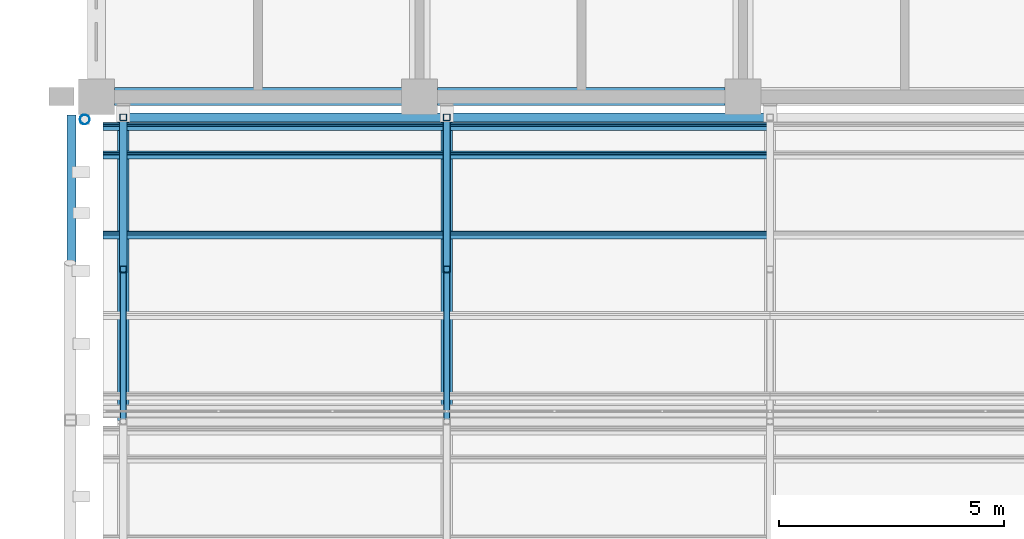
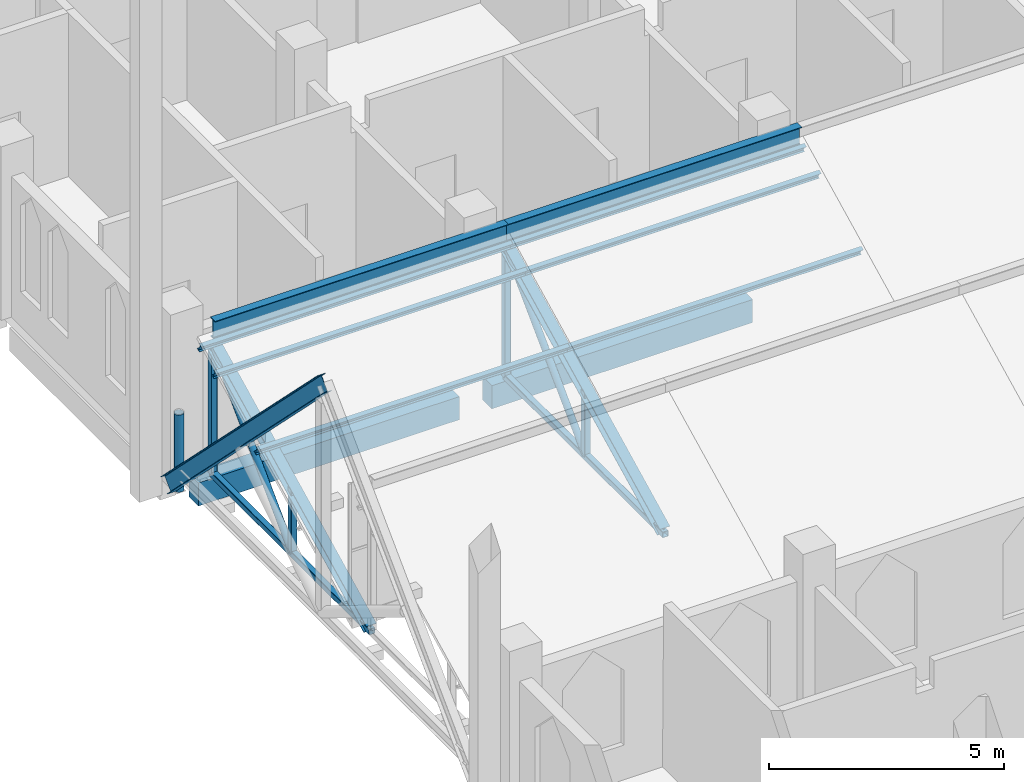
# One storey, part 10 of 29: 20 members, 2 beams.
"""IFC4 building model written with IfcOpenShell, lengths in metres."""

from ifc_helpers import new_model, si_unit, direction, frame, origin, origin_2d, place, context, subcontext, project, spatial, rectangle, hollow_rectangle, hollow_circle, i_section, extrude, material, material_profile, profile_set, type_object, element, save


model = new_model("IFC4")

# Units and contexts
model_context = context("Model", 3, precision=1e-05, world=origin(), true_north=direction((0.0, 1.0)))
body_context = subcontext(model_context, "Body", "Model", "MODEL_VIEW")
ifc_project = project(units=[si_unit("LENGTHUNIT", "METRE"), si_unit("AREAUNIT", "SQUARE_METRE"), si_unit("VOLUMEUNIT", "CUBIC_METRE"), si_unit("PLANEANGLEUNIT", "RADIAN"), si_unit("MASSUNIT", "GRAM", prefix="KILO")], contexts=[model_context])

# Site, building, storey
site_placement = place(None, origin())
site = spatial("IfcSite", under=ifc_project, at=site_placement, CompositionType="ELEMENT")
building_placement = place(site_placement, origin())
building = spatial("IfcBuilding", under=site, at=building_placement, Name="Silangan Lancet Faculty of Sciences", CompositionType="ELEMENT")
storey_placement = place(building_placement, frame((0.0, 0.0, 40.800048828125)))
storey = spatial("IfcBuildingStorey", under=building, at=storey_placement, Name="L08", CompositionType="ELEMENT", Elevation=40.800048828125)

# Beams
ifc_material_1 = material(Name="Concrete C40/50", Category="concrete")
ifc_material_profile_1 = material_profile(ifc_material_1, rectangle(XDim=0.39990234375, YDim=0.60009765625, at=origin_2d()), Name="RC 400x600")
ifc_profile_set_1 = profile_set([ifc_material_profile_1], Name="Concrete C40/50")
beam_type = type_object("IfcBeamType", Name="BEAM RC 400x600", PredefinedType="BEAM", material=ifc_profile_set_1)
beam_1_placement = place(storey_placement, frame((0.39990234375, 36.0, -0.550048828125), z_axis=(1.0, 0.0, 0.0), x_axis=(0.0, 1.0, 0.0)))
element("IfcBeam", 1, at=beam_1_placement, inside=storey, type_object=beam_type, Name="BM-L08-1F-2F", PredefinedType="BEAM", context=body_context, shape_type="SweptSolid", body=[
    extrude(rectangle(XDim=0.39990234375, YDim=0.60009765625, at=origin_2d()), origin(), (0.0, 0.0, 1.0), 6.400146484375),
])
beam_2_placement = place(storey_placement, frame((7.60009765625, 36.0, -0.550048828125), z_axis=(1.0, 0.0, 0.0), x_axis=(0.0, 1.0, 0.0)))
element("IfcBeam", 2, at=beam_2_placement, inside=storey, type_object=beam_type, Name="BM-L08-2F-3F", PredefinedType="BEAM", context=body_context, shape_type="SweptSolid", body=[
    extrude(rectangle(XDim=0.39990234375, YDim=0.60009765625, at=origin_2d()), origin(), (0.0, 0.0, 1.0), 6.39990234375),
])

# Members
ifc_material_2 = material(Name="Steel SS400", Category="steel")
ifc_material_profile_2 = material_profile(ifc_material_2, i_section(OverallWidth=0.199951171875, OverallDepth=0.5, WebThickness=0.010009765625, FlangeThickness=0.01611328125, FilletRadius=0.02001953125, at=origin_2d()), Name="H 500x200x10x16")
ifc_profile_set_2 = profile_set([ifc_material_profile_2], Name="Steel SS400")
member_type_1 = type_object("IfcMemberType", Name="Exposed ridge beam H 500x200x10x16", PredefinedType="MEMBER", material=ifc_profile_set_2)
for number, where, z_axis, x_axis, name in (
    (3, (0.60009765625, 35.5400390625, 3.836669921875), (1.0, 0.0, 0.0), (0.0, 1.0, 0.0), "Exposed ridge beam ATRIUM-2-1"),
    (4, (7.800048828125, 35.5400390625, 3.836669921875), (1.0, 0.0, 0.0), (0.0, 1.0, 0.0), "Exposed ridge beam ATRIUM-2-2"),
):
    element("IfcMember", number, at=place(storey_placement, frame(where, z_axis=z_axis, x_axis=x_axis)), inside=storey, type_object=member_type_1, Name=name, PredefinedType="MEMBER", context=body_context, shape_type="SweptSolid", body=[
        extrude(i_section(OverallWidth=0.199951171875, OverallDepth=0.5, WebThickness=0.010009765625, FlangeThickness=0.01611328125, FilletRadius=0.02001953125, at=origin_2d()), origin(), (0.0, 0.0, 1.0), 7.199951171875),
    ])
ifc_material_3 = material(Name="Steel SS400", Category="steel")
ifc_material_profile_3 = material_profile(ifc_material_3, i_section(OverallWidth=0.199951171875, OverallDepth=0.39990234375, WebThickness=0.008056640625, FlangeThickness=0.012939453125, FilletRadius=0.01611328125, at=origin_2d()), Name="H 400x200x8x13")
ifc_profile_set_3 = profile_set([ifc_material_profile_3], Name="Steel SS400")
member_type_2 = type_object("IfcMemberType", Name="Gable truss rafter H 400x200x8x13", PredefinedType="RAFTER", material=ifc_profile_set_3)
member_1_placement = place(storey_placement, frame((-0.550048828125, 35.4501953125, 0.26708984375), z_axis=(0.0, -0.707106781187, 0.707106781187), x_axis=(1.0, 0.0, 0.0)))
element("IfcMember", 5, at=member_1_placement, inside=storey, type_object=member_type_2, Name="Gable truss rafter B", PredefinedType="RAFTER", context=body_context, shape_type="SweptSolid", body=[
    extrude(i_section(OverallWidth=0.199951171875, OverallDepth=0.39990234375, WebThickness=0.008056640625, FlangeThickness=0.012939453125, FilletRadius=0.01611328125, at=origin_2d()), origin(), (0.0, 0.0, 1.0), 9.40478515625),
])
ifc_material_4 = material(Name="Steel STK400", Category="steel")
ifc_material_profile_4 = material_profile(ifc_material_4, hollow_circle(Radius=0.108154296875, WallThickness=0.006103515625, at=origin_2d()), Name="CHS 216.3x6.0")
ifc_profile_set_4 = profile_set([ifc_material_profile_4], Name="Steel STK400")
member_type_3 = type_object("IfcMemberType", Name="Pinnacle gable CHS 216.3x6.0", PredefinedType="USERDEFINED", material=ifc_profile_set_4)
member_2_placement = place(storey_placement, frame((-0.258056640625, 35.491943359375, 0.0), z_axis=(0.0, 0.0, 1.0), x_axis=(1.0, 0.0, 0.0)))
element("IfcMember", 6, at=member_2_placement, inside=storey, type_object=member_type_3, Name="Gable pinnacle west N", ObjectType="PINNACLE", PredefinedType="USERDEFINED", context=body_context, shape_type="SweptSolid", body=[
    extrude(hollow_circle(Radius=0.108154296875, WallThickness=0.006103515625, at=origin_2d()), origin(), (0.0, 0.0, 1.0), 2.0),
])
ifc_material_5 = material(Name="Steel SS400", Category="steel")
ifc_material_profile_5 = material_profile(ifc_material_5, i_section(OverallWidth=0.10009765625, OverallDepth=0.199951171875, WebThickness=0.005615234375, FlangeThickness=0.008056640625, FilletRadius=0.008056640625, at=origin_2d()), Name="H 200x100x5.5x8")
ifc_profile_set_5 = profile_set([ifc_material_profile_5], Name="Steel SS400")
member_type_4 = type_object("IfcMemberType", Name="Sheeting purlin H 200x100x5.5x8", PredefinedType="PURLIN", material=ifc_profile_set_5)
for number, where, z_axis, x_axis, name in (
    (7, (0.14990234375, 32.91796875, 2.42041015625), (1.0, 0.0, 0.0), (0.0, 0.894427192382, 0.447213592736), "Sheeting purlin ATRIUM-2-1 3"),
    (8, (0.14990234375, 34.706787109375, 3.31494140625), (1.0, 0.0, 0.0), (0.0, 0.894427192382, 0.447213592736), "Sheeting purlin ATRIUM-2-1 4"),
    (9, (0.14990234375, 35.33203125, 3.62744140625), (1.0, 0.0, 0.0), (0.0, 0.894427192382, 0.447213592736), "Sheeting purlin ATRIUM-2-1 5"),
):
    element("IfcMember", number, at=place(storey_placement, frame(where, z_axis=z_axis, x_axis=x_axis)), inside=storey, type_object=member_type_4, Name=name, PredefinedType="PURLIN", context=body_context, shape_type="SweptSolid", body=[
        extrude(i_section(OverallWidth=0.10009765625, OverallDepth=0.199951171875, WebThickness=0.005615234375, FlangeThickness=0.008056640625, FilletRadius=0.008056640625, at=origin_2d()), origin(), (0.0, 0.0, 1.0), 7.650146484375),
    ])
for number, where, z_axis, x_axis, name in (
    (10, (7.800048828125, 32.91796875, 2.42041015625), (1.0, 0.0, 0.0), (0.0, 0.894427192382, 0.447213592736), "Sheeting purlin ATRIUM-2-2 3"),
    (11, (7.800048828125, 34.706787109375, 3.31494140625), (1.0, 0.0, 0.0), (0.0, 0.894427192382, 0.447213592736), "Sheeting purlin ATRIUM-2-2 4"),
    (12, (7.800048828125, 35.33203125, 3.62744140625), (1.0, 0.0, 0.0), (0.0, 0.894427192382, 0.447213592736), "Sheeting purlin ATRIUM-2-2 5"),
):
    element("IfcMember", number, at=place(storey_placement, frame(where, z_axis=z_axis, x_axis=x_axis)), inside=storey, type_object=member_type_4, Name=name, PredefinedType="PURLIN", context=body_context, shape_type="SweptSolid", body=[
        extrude(i_section(OverallWidth=0.10009765625, OverallDepth=0.199951171875, WebThickness=0.005615234375, FlangeThickness=0.008056640625, FilletRadius=0.008056640625, at=origin_2d()), origin(), (0.0, 0.0, 1.0), 7.199951171875),
    ])
ifc_material_6 = material(Name="Steel STKR400", Category="steel")
ifc_material_profile_6 = material_profile(ifc_material_6, hollow_rectangle(XDim=0.14990234375, YDim=0.14990234375, WallThickness=0.009033203125, InnerFilletRadius=0.009033203125, OuterFilletRadius=0.01806640625, at=origin_2d()), Name="SHS 150x150x9.0")
ifc_profile_set_6 = profile_set([ifc_material_profile_6], Name="Steel STKR400")
member_type_5 = type_object("IfcMemberType", Name="Truss bottom chord SHS 150x150x9.0", PredefinedType="CHORD", material=ifc_profile_set_6)
for number, where, z_axis, x_axis, name in (
    (13, (0.60009765625, 28.77001953125, 0.094970703125), (0.0, 1.0, 0.0), (-1.0, 0.0, 0.0), "Truss 1 bottom chord 2"),
    (14, (7.800048828125, 28.77001953125, 0.094970703125), (0.0, 1.0, 0.0), (-1.0, 0.0, 0.0), "Truss 2 bottom chord 2"),
):
    element("IfcMember", number, at=place(storey_placement, frame(where, z_axis=z_axis, x_axis=x_axis)), inside=storey, type_object=member_type_5, Name=name, PredefinedType="CHORD", context=body_context, shape_type="SweptSolid", body=[
        extrude(hollow_rectangle(XDim=0.14990234375, YDim=0.14990234375, WallThickness=0.009033203125, InnerFilletRadius=0.009033203125, OuterFilletRadius=0.01806640625, at=origin_2d()), origin(), (0.0, 0.0, 1.0), 6.77001953125),
    ])
ifc_material_7 = material(Name="Steel STK400", Category="steel")
ifc_material_profile_7 = material_profile(ifc_material_7, hollow_circle(Radius=0.08251953125, WallThickness=0.0048828125, at=origin_2d()), Name="CHS 165.2x5.0")
ifc_profile_set_7 = profile_set([ifc_material_profile_7], Name="Steel STK400")
member_type_6 = type_object("IfcMemberType", Name="Truss diagonal CHS 165.2x5.0", PredefinedType="BRACE", material=ifc_profile_set_7)
for number, where, z_axis, x_axis, name in (
    (15, (0.60009765625, 32.155029296875, 0.094970703125), (0.0, 0.707106781187, 0.707106781187), (-1.0, 0.0, 0.0), "Truss 1 diagonal 2"),
    (16, (7.800048828125, 32.155029296875, 0.094970703125), (0.0, 0.707106781187, 0.707106781187), (-1.0, 0.0, 0.0), "Truss 2 diagonal 2"),
):
    element("IfcMember", number, at=place(storey_placement, frame(where, z_axis=z_axis, x_axis=x_axis)), inside=storey, type_object=member_type_6, Name=name, PredefinedType="BRACE", context=body_context, shape_type="SweptSolid", body=[
        extrude(hollow_circle(Radius=0.08251953125, WallThickness=0.0048828125, at=origin_2d()), origin(), (0.0, 0.0, 1.0), 4.787109375),
    ])
ifc_material_8 = material(Name="Steel STKR400", Category="steel")
ifc_material_profile_8 = material_profile(ifc_material_8, hollow_rectangle(XDim=0.14990234375, YDim=0.14990234375, WallThickness=0.006103515625, InnerFilletRadius=0.006103515625, OuterFilletRadius=0.011962890625, at=origin_2d()), Name="SHS 150x150x6.0")
ifc_profile_set_8 = profile_set([ifc_material_profile_8], Name="Steel STKR400")
member_type_7 = type_object("IfcMemberType", Name="Truss post SHS 150x150x6.0", PredefinedType="POST", material=ifc_profile_set_8)
member_3_placement = place(storey_placement, frame((0.60009765625, 35.5400390625, 0.094970703125), z_axis=(0.0, 0.0, 1.0), x_axis=(1.0, 0.0, 0.0)))
element("IfcMember", 17, at=member_3_placement, inside=storey, type_object=member_type_7, Name="Truss 1 riser post 2", PredefinedType="POST", context=body_context, shape_type="SweptSolid", body=[
    extrude(hollow_rectangle(XDim=0.14990234375, YDim=0.14990234375, WallThickness=0.006103515625, InnerFilletRadius=0.006103515625, OuterFilletRadius=0.011962890625, at=origin_2d()), origin(), (0.0, 0.0, 1.0), 3.385009765625),
])
member_4_placement = place(storey_placement, frame((0.60009765625, 32.155029296875, 0.094970703125), z_axis=(0.0, 0.0, 1.0), x_axis=(1.0, 0.0, 0.0)))
element("IfcMember", 18, at=member_4_placement, inside=storey, type_object=member_type_7, Name="Truss 1 mid post 2", PredefinedType="POST", context=body_context, shape_type="SweptSolid", body=[
    extrude(hollow_rectangle(XDim=0.14990234375, YDim=0.14990234375, WallThickness=0.006103515625, InnerFilletRadius=0.006103515625, OuterFilletRadius=0.011962890625, at=origin_2d()), origin(), (0.0, 0.0, 1.0), 1.6923828125),
])
member_5_placement = place(storey_placement, frame((7.800048828125, 35.5400390625, 0.094970703125), z_axis=(0.0, 0.0, 1.0), x_axis=(1.0, 0.0, 0.0)))
element("IfcMember", 19, at=member_5_placement, inside=storey, type_object=member_type_7, Name="Truss 2 riser post 2", PredefinedType="POST", context=body_context, shape_type="SweptSolid", body=[
    extrude(hollow_rectangle(XDim=0.14990234375, YDim=0.14990234375, WallThickness=0.006103515625, InnerFilletRadius=0.006103515625, OuterFilletRadius=0.011962890625, at=origin_2d()), origin(), (0.0, 0.0, 1.0), 3.385009765625),
])
member_6_placement = place(storey_placement, frame((7.800048828125, 32.155029296875, 0.094970703125), z_axis=(0.0, 0.0, 1.0), x_axis=(1.0, 0.0, 0.0)))
element("IfcMember", 20, at=member_6_placement, inside=storey, type_object=member_type_7, Name="Truss 2 mid post 2", PredefinedType="POST", context=body_context, shape_type="SweptSolid", body=[
    extrude(hollow_rectangle(XDim=0.14990234375, YDim=0.14990234375, WallThickness=0.006103515625, InnerFilletRadius=0.006103515625, OuterFilletRadius=0.011962890625, at=origin_2d()), origin(), (0.0, 0.0, 1.0), 1.6923828125),
])
ifc_material_9 = material(Name="Steel SS400", Category="steel")
ifc_material_profile_9 = material_profile(ifc_material_9, i_section(OverallWidth=0.25, OverallDepth=0.25, WebThickness=0.009033203125, FlangeThickness=0.013916015625, FilletRadius=0.01611328125, at=origin_2d()), Name="H 250x250x9x14")
ifc_profile_set_9 = profile_set([ifc_material_profile_9], Name="Steel SS400")
member_type_8 = type_object("IfcMemberType", Name="Truss top chord H 250x250x9x14", PredefinedType="CHORD", material=ifc_profile_set_9)
for number, where, z_axis, x_axis, name in (
    (21, (0.60009765625, 28.8505859375, 0.13525390625), (0.0, 0.894427191, 0.4472135955), (-1.0, 0.0, 0.0), "Truss 1 top chord 2"),
    (22, (7.800048828125, 28.8505859375, 0.13525390625), (0.0, 0.894427191, 0.4472135955), (-1.0, 0.0, 0.0), "Truss 2 top chord 2"),
):
    element("IfcMember", number, at=place(storey_placement, frame(where, z_axis=z_axis, x_axis=x_axis)), inside=storey, type_object=member_type_8, Name=name, PredefinedType="CHORD", context=body_context, shape_type="SweptSolid", body=[
        extrude(i_section(OverallWidth=0.25, OverallDepth=0.25, WebThickness=0.009033203125, FlangeThickness=0.013916015625, FilletRadius=0.01611328125, at=origin_2d()), origin(), (0.0, 0.0, 1.0), 7.47900390625),
    ])

save(model, "model.ifc")
